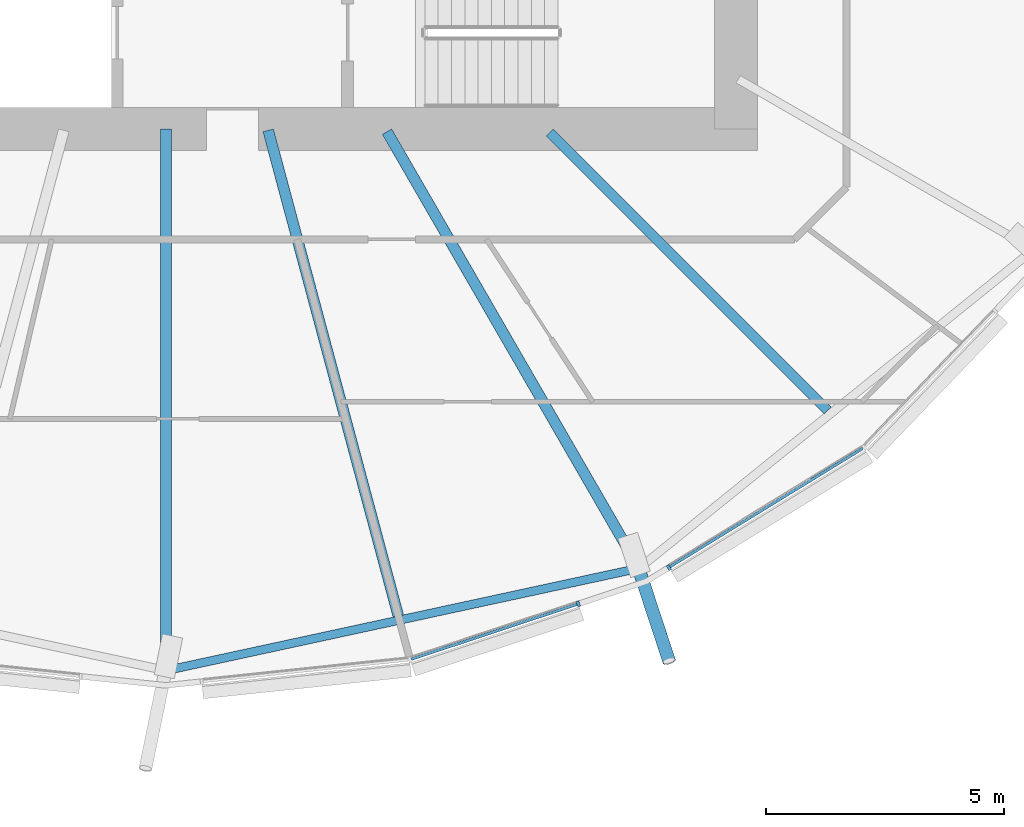
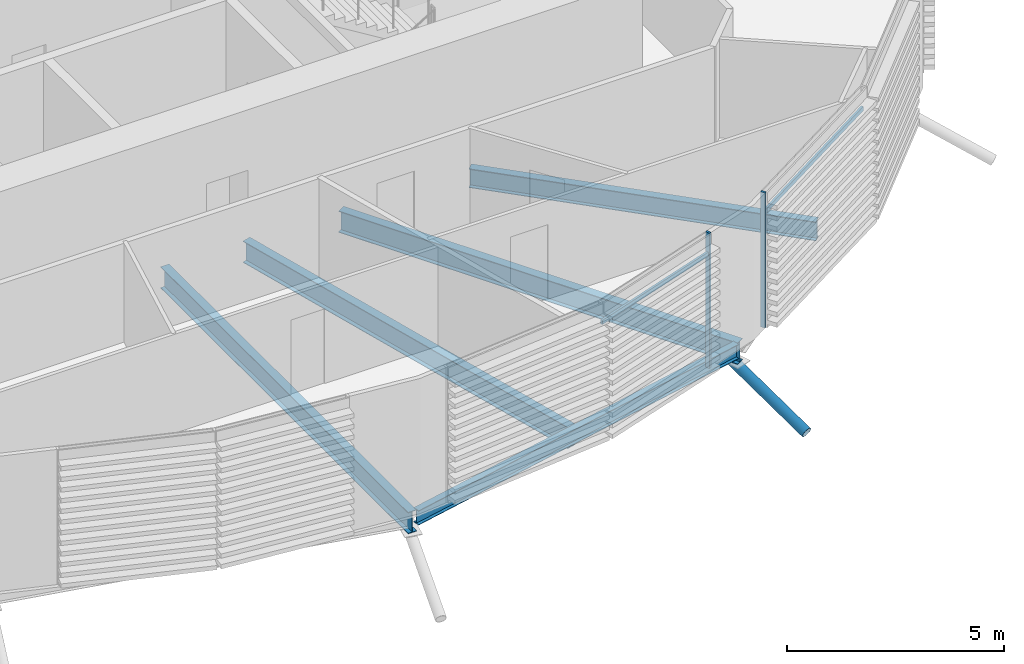
# One storey, part 4 of 36: 5 beams, 5 members, 1 element without a shape of its own.
"""IFC4 building model written with IfcOpenShell, lengths in metres."""

from ifc_helpers import new_model, si_unit, direction, frame, origin, origin_2d, place, context, subcontext, project, spatial, rectangle, hollow_circle, i_section, extrude, clip, halfspace, material, material_profile, profile_set, type_object, element, aggregate, save


model = new_model("IFC4")

# Units and contexts
model_context = context("Model", 3, precision=1e-05, world=origin(), true_north=direction((0.0, 1.0)))
body_context = subcontext(model_context, "Body", "Model", "MODEL_VIEW")
ifc_project = project(units=[si_unit("LENGTHUNIT", "METRE"), si_unit("AREAUNIT", "SQUARE_METRE"), si_unit("VOLUMEUNIT", "CUBIC_METRE"), si_unit("PLANEANGLEUNIT", "RADIAN"), si_unit("MASSUNIT", "GRAM", prefix="KILO")], contexts=[model_context])

# Site, building, storey
site_placement = place(None, origin())
site = spatial("IfcSite", under=ifc_project, at=site_placement, CompositionType="ELEMENT")
building_placement = place(site_placement, origin())
building = spatial("IfcBuilding", under=site, at=building_placement, Name="Rimbun Link Towers", CompositionType="ELEMENT")
storey_placement = place(building_placement, frame((0.0, 0.0, 33.800048828125)))
storey = spatial("IfcBuildingStorey", under=building, at=storey_placement, Name="L07", CompositionType="ELEMENT", Elevation=33.800048828125)

# Curtain wall, members
ifc_material_1 = material(Name="Aluminium 6063-T6 and low-iron glass", Category="aluminium")
curtain_wall_type = type_object("IfcCurtainWallType", Name="CW1 unitised vision wall", PredefinedType="NOTDEFINED", material=ifc_material_1)
curtain_wall_placement = place(storey_placement, origin())
curtain_wall = element("IfcCurtainWall", 1, at=curtain_wall_placement, inside=storey, type_object=curtain_wall_type, Name="CW1 L07 T1", PredefinedType="NOTDEFINED")
ifc_material_2 = material(Name="Aluminium 6063-T6", Category="aluminium")
ifc_material_profile_1 = material_profile(ifc_material_2, rectangle(XDim=0.1201171875, YDim=0.06005859375, at=origin_2d()), Name="MULLION 60X120")
ifc_profile_set_1 = profile_set([ifc_material_profile_1], Name="Aluminium 6063-T6")
member_type_1 = type_object("IfcMemberType", Name="CW1 mullion 60X120", PredefinedType="MULLION", material=ifc_profile_set_1)
member_1_placement = place(storey_placement, frame((-23.06884765625, -17.998291015625, 0.0), z_axis=(0.0, 0.0, 1.0), x_axis=(0.314563730837, -0.949236355837, 0.0)))
member_1 = element("IfcMember", 2, at=member_1_placement, type_object=member_type_1, Name="CW1 mullion", PredefinedType="MULLION", context=body_context, shape_type="SweptSolid", body=[
    extrude(rectangle(XDim=0.1201171875, YDim=0.06005859375, at=origin_2d()), origin(), (0.0, 0.0, 1.0), 3.800048828125),
])
member_2_placement = place(storey_placement, frame((-21.163818359375, -17.23291015625, 0.0), z_axis=(0.0, 0.0, 1.0), x_axis=(0.523232417417, -0.85219002421, 0.0)))
member_2 = element("IfcMember", 3, at=member_2_placement, type_object=member_type_1, Name="CW1 mullion", PredefinedType="MULLION", context=body_context, shape_type="SweptSolid", body=[
    extrude(rectangle(XDim=0.1201171875, YDim=0.06005859375, at=origin_2d()), origin(), (0.0, 0.0, 1.0), 3.800048828125),
])
ifc_material_3 = material(Name="Aluminium 6063-T6", Category="aluminium")
ifc_material_profile_2 = material_profile(ifc_material_3, rectangle(XDim=0.06005859375, YDim=0.1201171875, at=origin_2d()), Name="TRANSOM 60X120")
ifc_profile_set_2 = profile_set([ifc_material_profile_2], Name="Aluminium 6063-T6")
member_type_2 = type_object("IfcMemberType", Name="CW1 transom 60X120", PredefinedType="USERDEFINED", material=ifc_profile_set_2)
member_3_placement = place(storey_placement, frame((-23.097900390625, -18.005859375, 3.199951171875), z_axis=(-0.949227381323, -0.314590811288, 0.0), x_axis=(0.314590811288, -0.949227381323, 0.0)))
member_3 = element("IfcMember", 4, at=member_3_placement, type_object=member_type_2, Name="CW1 transom", ObjectType="TRANSOM", PredefinedType="USERDEFINED", context=body_context, shape_type="SweptSolid", body=[
    extrude(rectangle(XDim=0.06005859375, YDim=0.1201171875, at=origin_2d()), origin(), (0.0, 0.0, 1.0), 3.669921875),
])
member_4_placement = place(storey_placement, frame((-17.08447265625, -14.725830078125, 3.199951171875), z_axis=(-0.85218286568, -0.523244076356, 0.0), x_axis=(0.523244076356, -0.85218286568, 0.0)))
member_4 = element("IfcMember", 5, at=member_4_placement, type_object=member_type_2, Name="CW1 transom", ObjectType="TRANSOM", PredefinedType="USERDEFINED", context=body_context, shape_type="SweptSolid", body=[
    extrude(rectangle(XDim=0.06005859375, YDim=0.1201171875, at=origin_2d()), origin(), (0.0, 0.0, 1.0), 4.75830078125),
])
aggregate(curtain_wall, [member_1, member_2, member_3, member_4])

# Member
ifc_material_4 = material(Name="Steel S355J2H", Category="steel")
ifc_material_profile_3 = material_profile(ifc_material_4, hollow_circle(Radius=0.136474609375, WallThickness=0.012451171875, at=origin_2d()), Name="CHS 273x12.5")
ifc_profile_set_3 = profile_set([ifc_material_profile_3], Name="Steel S355J2H")
member_type_3 = type_object("IfcMemberType", Name="Floor edge link CHS 273x12.5", PredefinedType="BRACE", material=ifc_profile_set_3)
member_5_placement = place(storey_placement, frame((-21.816650390625, -17.205078125, -0.88818359375), z_axis=(0.287962333426, -0.875503541487, -0.388035105849), x_axis=(0.949936176822, 0.312444010928, 0.0)))
element("IfcMember", 6, at=member_5_placement, inside=storey, type_object=member_type_3, Name="Floor edge link T1 L07 20", PredefinedType="BRACE", context=body_context, shape_type="Clipping", body=[
    clip(extrude(hollow_circle(Radius=0.136474609375, WallThickness=0.012451171875, at=origin_2d()), frame((0.0, 0.0, -0.674072265625)), (0.0, 0.0, 1.0), 2.96484375), halfspace(frame((0.0, 0.0, -0.318359375), z_axis=(0.0, 0.921644593446, -0.388035105849)), False)),
])

# Beams
ifc_material_5 = material(Name="Steel S355J2", Category="steel")
ifc_material_profile_4 = material_profile(ifc_material_5, i_section(OverallWidth=0.177978515625, OverallDepth=0.406494140625, WebThickness=0.0078125, FlangeThickness=0.0126953125, at=origin_2d()), Name="UB 406x178x60")
ifc_profile_set_4 = profile_set([ifc_material_profile_4], Name="Steel S355J2")
beam_type_1 = type_object("IfcBeamType", Name="UB 406x178x60", PredefinedType="BEAM", material=ifc_profile_set_4)
beam_1_placement = place(storey_placement, frame((-31.63525390625, -19.3779296875, -0.36328125), z_axis=(0.977391971445, 0.211435413673, 0.0), x_axis=(-0.211435413673, 0.977391971445, 0.0)))
element("IfcBeam", 7, at=beam_1_placement, inside=storey, type_object=beam_type_1, Name="Edge beam T1 L07 18-20", PredefinedType="BEAM", context=body_context, shape_type="SweptSolid", body=[
    extrude(i_section(OverallWidth=0.177978515625, OverallDepth=0.406494140625, WebThickness=0.0078125, FlangeThickness=0.0126953125, at=origin_2d()), origin(), (0.0, 0.0, 1.0), 9.950927734375),
])
ifc_material_6 = material(Name="Steel S355J2", Category="steel")
ifc_material_profile_5 = material_profile(ifc_material_6, i_section(OverallWidth=0.209228515625, OverallDepth=0.533203125, WebThickness=0.010009765625, FlangeThickness=0.015625, at=origin_2d()), Name="UB 533x210x92")
ifc_profile_set_5 = profile_set([ifc_material_profile_5], Name="Steel S355J2")
beam_type_2 = type_object("IfcBeamType", Name="UB 533x210x92", PredefinedType="BEAM", material=ifc_profile_set_5)
beam_2_placement = place(storey_placement, frame((-23.67529296875, -8.07470703125, -0.4267578125), z_axis=(0.707106781187, -0.707106781187, 0.0), x_axis=(0.707106781187, 0.707106781187, 0.0)))
element("IfcBeam", 8, at=beam_2_placement, inside=storey, type_object=beam_type_2, Name="Radial beam T1 L07 21", PredefinedType="BEAM", context=body_context, shape_type="SweptSolid", body=[
    extrude(i_section(OverallWidth=0.209228515625, OverallDepth=0.533203125, WebThickness=0.010009765625, FlangeThickness=0.015625, at=origin_2d()), origin(), (0.0, 0.0, 1.0), 8.27734375),
])
ifc_material_7 = material(Name="Steel S355J2", Category="steel")
ifc_material_profile_6 = material_profile(ifc_material_7, i_section(OverallWidth=0.2275390625, OverallDepth=0.6025390625, WebThickness=0.010498046875, FlangeThickness=0.014892578125, at=origin_2d()), Name="UB 610x229x101")
ifc_profile_set_6 = profile_set([ifc_material_profile_6], Name="Steel S355J2")
beam_type_3 = type_object("IfcBeamType", Name="UB 610x229x101", PredefinedType="BEAM", material=ifc_profile_set_6)
beam_3_placement = place(storey_placement, frame((-31.75, -8.0009765625, -0.46142578125), z_axis=(0.0, -1.0, 0.0), x_axis=(1.0, 0.0, 0.0)))
element("IfcBeam", 9, at=beam_3_placement, inside=storey, type_object=beam_type_3, Name="Radial beam T1 L07 18", PredefinedType="BEAM", context=body_context, shape_type="SweptSolid", body=[
    extrude(i_section(OverallWidth=0.2275390625, OverallDepth=0.6025390625, WebThickness=0.010498046875, FlangeThickness=0.014892578125, at=origin_2d()), origin(), (0.0, 0.0, 1.0), 11.40185546875),
])
beam_4_placement = place(storey_placement, frame((-29.598388671875, -8.030517578125, -0.46142578125), z_axis=(0.258839865624, -0.965920247207, 0.0), x_axis=(0.965920247207, 0.258839865624, 0.0)))
element("IfcBeam", 10, at=beam_4_placement, inside=storey, type_object=beam_type_3, Name="Radial beam T1 L07 19", PredefinedType="BEAM", context=body_context, shape_type="SweptSolid", body=[
    extrude(i_section(OverallWidth=0.2275390625, OverallDepth=0.6025390625, WebThickness=0.010498046875, FlangeThickness=0.014892578125, at=origin_2d()), origin(), (0.0, 0.0, 1.0), 10.582763671875),
])
beam_5_placement = place(storey_placement, frame((-27.097900390625, -8.057861328125, -0.46142578125), z_axis=(0.500011199594, -0.866018937599, 0.0), x_axis=(0.866018937599, 0.500011199594, 0.0)))
element("IfcBeam", 11, at=beam_5_placement, inside=storey, type_object=beam_type_3, Name="Radial beam T1 L07 20", PredefinedType="BEAM", context=body_context, shape_type="SweptSolid", body=[
    extrude(i_section(OverallWidth=0.2275390625, OverallDepth=0.6025390625, WebThickness=0.010498046875, FlangeThickness=0.014892578125, at=origin_2d()), origin(), (0.0, 0.0, 1.0), 10.612548828125),
])

save(model, "model.ifc")
